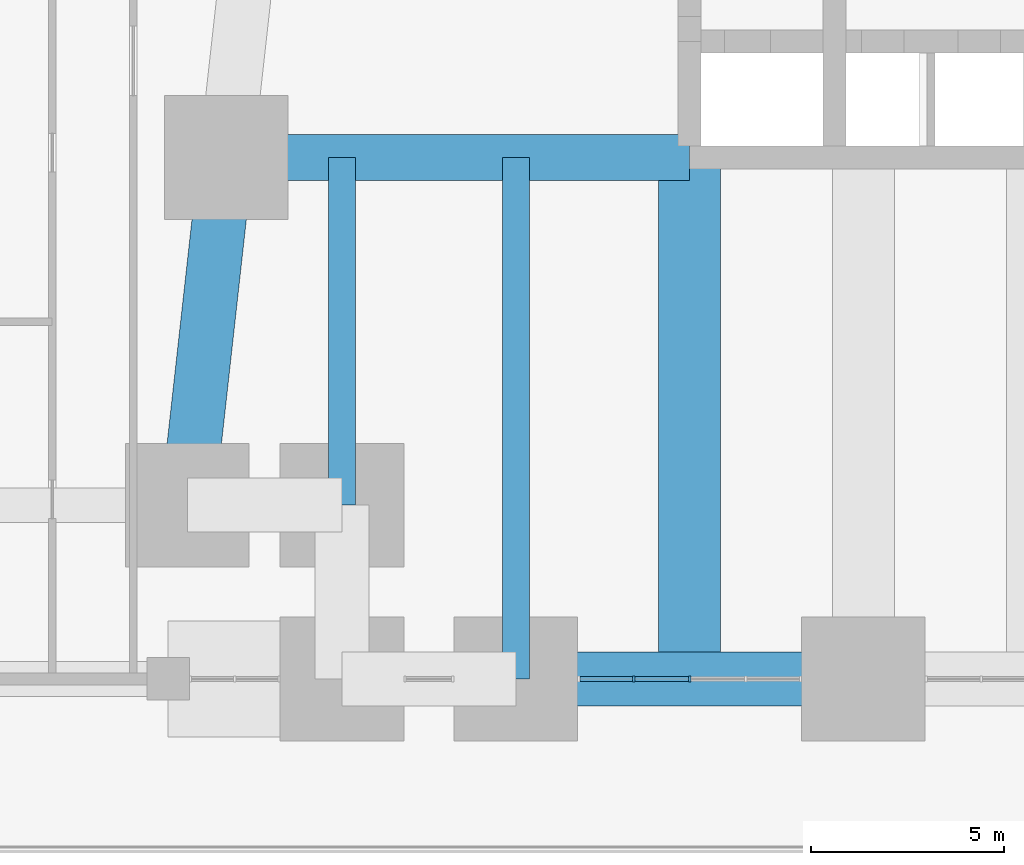
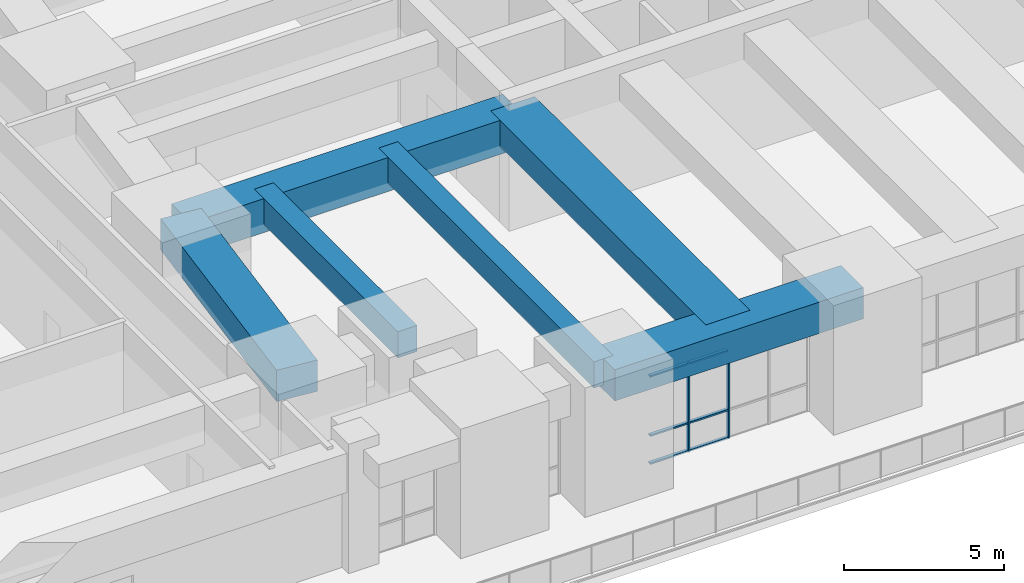
# One storey, part 3 of 22: 8 members, 6 beams, 1 element without a shape of its own.
"""IFC4 building model written with IfcOpenShell, lengths in metres."""

from ifc_helpers import new_model, si_unit, direction, frame, origin, origin_2d, place, context, subcontext, project, spatial, rectangle, extrude, material, material_profile, profile_set, type_object, element, aggregate, save


model = new_model("IFC4")

# Units and contexts
model_context = context("Model", 3, precision=1e-05, world=origin(), true_north=direction((0.0, 1.0)))
body_context = subcontext(model_context, "Body", "Model", "MODEL_VIEW")
ifc_project = project(units=[si_unit("LENGTHUNIT", "METRE"), si_unit("AREAUNIT", "SQUARE_METRE"), si_unit("VOLUMEUNIT", "CUBIC_METRE"), si_unit("PLANEANGLEUNIT", "RADIAN"), si_unit("MASSUNIT", "GRAM", prefix="KILO")], contexts=[model_context])

# Site, building, storey
site_placement = place(None, origin())
site = spatial("IfcSite", under=ifc_project, at=site_placement, CompositionType="ELEMENT")
building_placement = place(site_placement, origin())
building = spatial("IfcBuilding", under=site, at=building_placement, Name="Kilele Tower Hotel", CompositionType="ELEMENT")
storey_placement = place(building_placement, frame((0.0, 0.0, 19.0)))
storey = spatial("IfcBuildingStorey", under=building, at=storey_placement, Name="L03", CompositionType="ELEMENT", Elevation=19.0)

# Beams
ifc_material_1 = material(Name="Concrete C60/75", Category="concrete")
ifc_material_profile_1 = material_profile(ifc_material_1, rectangle(XDim=1.60009765625, YDim=1.0, at=origin_2d()))
ifc_profile_set_1 = profile_set([ifc_material_profile_1], Name="Concrete C60/75")
beam_type_1 = type_object("IfcBeamType", Name="Beam RC 1600x1000 C60/75", PredefinedType="BEAM", material=ifc_profile_set_1)
beam_1_placement = place(storey_placement, frame((13.5, 0.0, 4.10009765625), z_axis=(0.0, 1.0, 0.0), x_axis=(-1.0, 0.0, 0.0)))
element("IfcBeam", 1, at=beam_1_placement, inside=storey, type_object=beam_type_1, Name="Beam BC1 level L04", PredefinedType="BEAM", context=body_context, shape_type="SweptSolid", body=[
    extrude(rectangle(XDim=1.60009765625, YDim=1.0, at=origin_2d()), origin(), (0.0, 0.0, 1.0), 13.5),
])
ifc_material_2 = material(Name="Concrete C60/75", Category="concrete")
ifc_material_profile_2 = material_profile(ifc_material_2, rectangle(XDim=0.699951171875, YDim=1.0, at=origin_2d()))
ifc_profile_set_2 = profile_set([ifc_material_profile_2], Name="Concrete C60/75")
beam_type_2 = type_object("IfcBeamType", Name="Beam RC 700x1000 C60/75", PredefinedType="BEAM", material=ifc_profile_set_2)
beam_2_placement = place(storey_placement, frame((9.0, 0.0, 4.10009765625), z_axis=(0.0, 1.0, 0.0), x_axis=(-1.0, 0.0, 0.0)))
element("IfcBeam", 2, at=beam_2_placement, inside=storey, type_object=beam_type_2, Name="Beam B4 level L04", PredefinedType="BEAM", context=body_context, shape_type="SweptSolid", body=[
    extrude(rectangle(XDim=0.699951171875, YDim=1.0, at=origin_2d()), origin(), (0.0, 0.0, 1.0), 13.5),
])
ifc_material_3 = material(Name="Concrete C60/75", Category="concrete")
ifc_material_profile_3 = material_profile(ifc_material_3, rectangle(XDim=0.699951171875, YDim=1.0, at=origin_2d()))
ifc_profile_set_3 = profile_set([ifc_material_profile_3], Name="Concrete C60/75")
beam_type_3 = type_object("IfcBeamType", Name="Beam RC 700x1000 C60/75 mid span", PredefinedType="BEAM", material=ifc_profile_set_3)
beam_3_placement = place(storey_placement, frame((4.5, 4.5, 4.10009765625), z_axis=(0.0, 1.0, 0.0), x_axis=(-1.0, 0.0, 0.0)))
element("IfcBeam", 3, at=beam_3_placement, inside=storey, type_object=beam_type_3, Name="Beam B5 level L04", PredefinedType="BEAM", context=body_context, shape_type="SweptSolid", body=[
    extrude(rectangle(XDim=0.699951171875, YDim=1.0, at=origin_2d()), origin(), (0.0, 0.0, 1.0), 9.0),
])
ifc_material_4 = material(Name="Concrete C60/75", Category="concrete")
ifc_material_profile_4 = material_profile(ifc_material_4, rectangle(XDim=1.199951171875, YDim=1.300048828125, at=origin_2d()))
ifc_profile_set_4 = profile_set([ifc_material_profile_4], Name="Concrete C60/75")
beam_type_4 = type_object("IfcBeamType", Name="Girder RC 1200x1300 C60/75 tie", PredefinedType="BEAM", material=ifc_profile_set_4)
beam_4_placement = place(storey_placement, frame((1.5, 13.5, 3.949951171875), z_axis=(1.0, 0.0, 0.0), x_axis=(0.0, 1.0, 0.0)))
element("IfcBeam", 4, at=beam_4_placement, inside=storey, type_object=beam_type_4, Name="Girder G8 level L04", PredefinedType="BEAM", context=body_context, shape_type="SweptSolid", body=[
    extrude(rectangle(XDim=1.199951171875, YDim=1.300048828125, at=origin_2d()), origin(), (0.0, 0.0, 1.0), 12.0),
])

# Curtain wall, members
ifc_material_5 = material(Name="Aluminium curtain wall, clear double glazing", Category="aluminium")
curtain_wall_type = type_object("IfcCurtainWallType", Name="Podium curtain wall CW-1", PredefinedType="NOTDEFINED", material=ifc_material_5)
curtain_wall_placement = place(storey_placement, origin())
curtain_wall = element("IfcCurtainWall", 5, at=curtain_wall_placement, inside=storey, type_object=curtain_wall_type, Name="Podium curtain wall CW-1 L03", PredefinedType="NOTDEFINED")
ifc_material_6 = material(Name="Aluminium EN AW-6063 T6", Category="aluminium")
ifc_material_profile_5 = material_profile(ifc_material_6, rectangle(XDim=0.159912109375, YDim=0.06005859375, at=origin_2d()))
ifc_profile_set_5 = profile_set([ifc_material_profile_5], Name="Aluminium EN AW-6063 T6")
member_type_1 = type_object("IfcMemberType", Name="Mullion 60x160 CW-1", PredefinedType="MULLION", material=ifc_profile_set_5)
member_1_placement = place(storey_placement, frame((12.050048828125, 0.0, 0.0), z_axis=(0.0, 0.0, 1.0), x_axis=(0.0, 1.0, 0.0)))
member_1 = element("IfcMember", 6, at=member_1_placement, type_object=member_type_1, Name="CW-1 mullion 2", PredefinedType="MULLION", context=body_context, shape_type="SweptSolid", body=[
    extrude(rectangle(XDim=0.159912109375, YDim=0.06005859375, at=origin_2d()), origin(), (0.0, 0.0, 1.0), 3.39990234375),
])
member_2_placement = place(storey_placement, frame((13.5, 0.0, 0.0), z_axis=(0.0, 0.0, 1.0), x_axis=(0.0, 1.0, 0.0)))
member_2 = element("IfcMember", 7, at=member_2_placement, type_object=member_type_1, Name="CW-1 mullion 3", PredefinedType="MULLION", context=body_context, shape_type="SweptSolid", body=[
    extrude(rectangle(XDim=0.159912109375, YDim=0.06005859375, at=origin_2d()), origin(), (0.0, 0.0, 1.0), 3.39990234375),
])

# Beams
ifc_material_7 = material(Name="Concrete C60/75", Category="concrete")
ifc_material_profile_6 = material_profile(ifc_material_7, rectangle(XDim=1.39990234375, YDim=1.199951171875, at=origin_2d()))
ifc_profile_set_6 = profile_set([ifc_material_profile_6], Name="Concrete C60/75")
beam_type_5 = type_object("IfcBeamType", Name="Spandrel RC 1400x1200 C60/75", PredefinedType="SPANDREL", material=ifc_profile_set_6)
beam_5_placement = place(storey_placement, frame((9.0, 0.0, 4.0), z_axis=(1.0, 0.0, 0.0), x_axis=(0.0, 1.0, 0.0)))
element("IfcBeam", 8, at=beam_5_placement, inside=storey, type_object=beam_type_5, Name="Spandrel SP10 level L04", PredefinedType="SPANDREL", context=body_context, shape_type="SweptSolid", body=[
    extrude(rectangle(XDim=1.39990234375, YDim=1.199951171875, at=origin_2d()), origin(), (0.0, 0.0, 1.0), 9.0),
])
beam_6_placement = place(storey_placement, frame((1.5, 13.5, 4.0), z_axis=(-0.110431526075, -0.993883734674, 0.0), x_axis=(0.993883734674, -0.110431526075, 0.0)))
element("IfcBeam", 9, at=beam_6_placement, inside=storey, type_object=beam_type_5, Name="Spandrel SP10 level L04", PredefinedType="SPANDREL", context=body_context, shape_type="SweptSolid", body=[
    extrude(rectangle(XDim=1.39990234375, YDim=1.199951171875, at=origin_2d()), origin(), (0.0, 0.0, 1.0), 9.055419921875),
])

# Member
ifc_material_8 = material(Name="Aluminium EN AW-6063 T6", Category="aluminium")
ifc_material_profile_7 = material_profile(ifc_material_8, rectangle(XDim=0.1201171875, YDim=0.06005859375, at=origin_2d()))
ifc_profile_set_7 = profile_set([ifc_material_profile_7], Name="Aluminium EN AW-6063 T6")
member_type_2 = type_object("IfcMemberType", Name="Transom 60x120 CW-1", PredefinedType="USERDEFINED", material=ifc_profile_set_7)
member_3_placement = place(storey_placement, frame((10.659912109375, 0.0, 0.030029296875), z_axis=(1.0, 0.0, 0.0), x_axis=(0.0, 1.0, 0.0)))
member_3 = element("IfcMember", 10, at=member_3_placement, type_object=member_type_2, Name="CW-1 transom 1.1", ObjectType="TRANSOM", PredefinedType="USERDEFINED", context=body_context, shape_type="SweptSolid", body=[
    extrude(rectangle(XDim=0.1201171875, YDim=0.06005859375, at=origin_2d()), origin(), (0.0, 0.0, 1.0), 1.360107421875),
])

member_4_placement = place(storey_placement, frame((10.659912109375, 0.0, 1.10009765625), z_axis=(1.0, 0.0, 0.0), x_axis=(0.0, 1.0, 0.0)))
member_4 = element("IfcMember", 11, at=member_4_placement, type_object=member_type_2, Name="CW-1 transom 1.2", ObjectType="TRANSOM", PredefinedType="USERDEFINED", context=body_context, shape_type="SweptSolid", body=[
    extrude(rectangle(XDim=0.1201171875, YDim=0.06005859375, at=origin_2d()), origin(), (0.0, 0.0, 1.0), 1.360107421875),
])

member_5_placement = place(storey_placement, frame((10.659912109375, 0.0, 3.3701171875), z_axis=(1.0, 0.0, 0.0), x_axis=(0.0, 1.0, 0.0)))
member_5 = element("IfcMember", 12, at=member_5_placement, type_object=member_type_2, Name="CW-1 transom 1.3", ObjectType="TRANSOM", PredefinedType="USERDEFINED", context=body_context, shape_type="SweptSolid", body=[
    extrude(rectangle(XDim=0.1201171875, YDim=0.06005859375, at=origin_2d()), origin(), (0.0, 0.0, 1.0), 1.360107421875),
])

member_6_placement = place(storey_placement, frame((12.080078125, 0.0, 0.030029296875), z_axis=(1.0, 0.0, 0.0), x_axis=(0.0, 1.0, 0.0)))
member_6 = element("IfcMember", 13, at=member_6_placement, type_object=member_type_2, Name="CW-1 transom 2.1", ObjectType="TRANSOM", PredefinedType="USERDEFINED", context=body_context, shape_type="SweptSolid", body=[
    extrude(rectangle(XDim=0.1201171875, YDim=0.06005859375, at=origin_2d()), origin(), (0.0, 0.0, 1.0), 1.389892578125),
])

member_7_placement = place(storey_placement, frame((12.080078125, 0.0, 1.10009765625), z_axis=(1.0, 0.0, 0.0), x_axis=(0.0, 1.0, 0.0)))
member_7 = element("IfcMember", 14, at=member_7_placement, type_object=member_type_2, Name="CW-1 transom 2.2", ObjectType="TRANSOM", PredefinedType="USERDEFINED", context=body_context, shape_type="SweptSolid", body=[
    extrude(rectangle(XDim=0.1201171875, YDim=0.06005859375, at=origin_2d()), origin(), (0.0, 0.0, 1.0), 1.389892578125),
])

member_8_placement = place(storey_placement, frame((12.080078125, 0.0, 3.3701171875), z_axis=(1.0, 0.0, 0.0), x_axis=(0.0, 1.0, 0.0)))
member_8 = element("IfcMember", 15, at=member_8_placement, type_object=member_type_2, Name="CW-1 transom 2.3", ObjectType="TRANSOM", PredefinedType="USERDEFINED", context=body_context, shape_type="SweptSolid", body=[
    extrude(rectangle(XDim=0.1201171875, YDim=0.06005859375, at=origin_2d()), origin(), (0.0, 0.0, 1.0), 1.389892578125),
])

aggregate(curtain_wall, [member_1, member_2, member_3, member_4, member_5, member_6, member_7, member_8])

save(model, "model.ifc")
